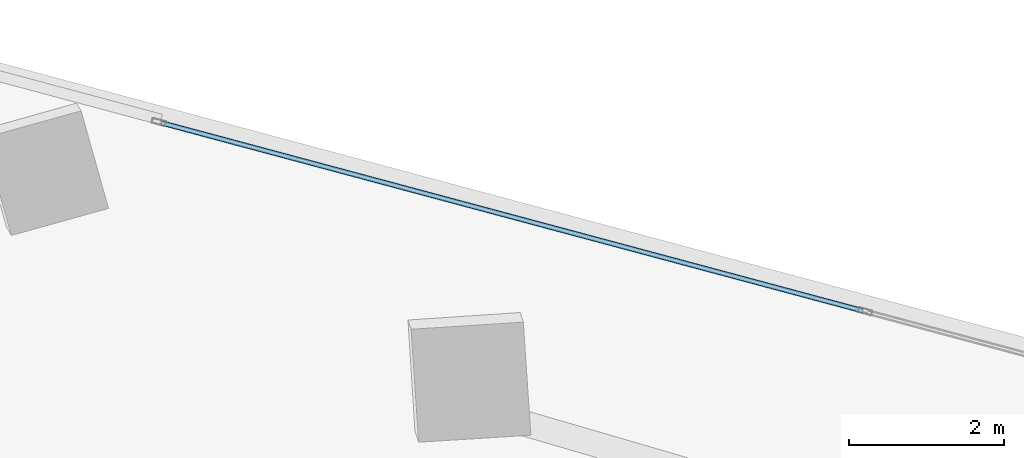
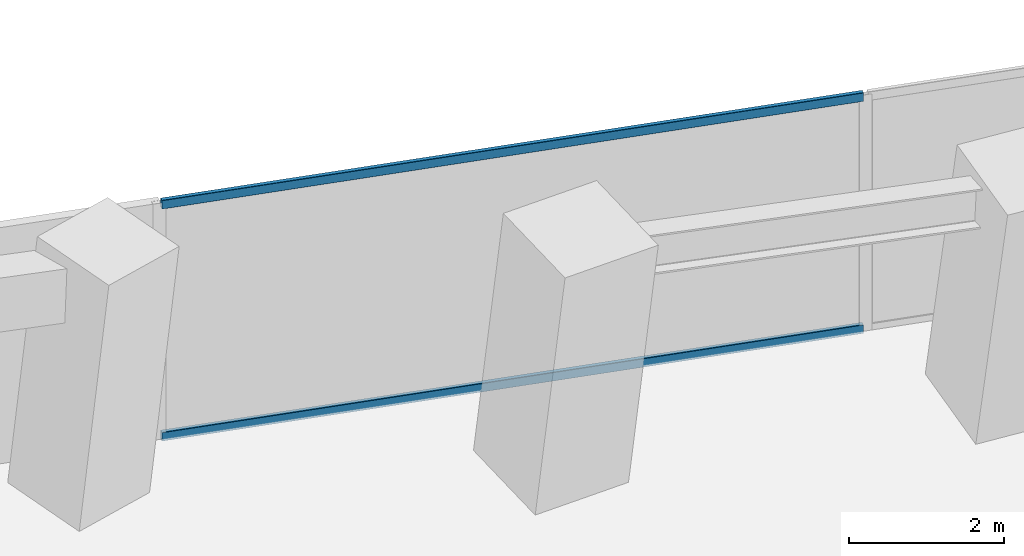
# One storey, part 17 of 26: 2 members, 1 element without a shape of its own.
"""IFC4 building model written with IfcOpenShell, lengths in metres."""

import ifcopenshell
import ifcopenshell.guid

model = None  # the IFC model being written
_history = None  # IfcOwnerHistory: only IFC2X3 demands one
_inside = {}  # id of a spatial element -> (the spatial element, [elements in it])
_under = {}  # id of a project, library or spatial element -> (it, [spatial elements below it])
_declared = {}  # id of a project -> (the project, [libraries it declares])
_typed = {}  # id of a type object -> (the type object, [elements of that type])
_made_of = {}  # id of a material, layer set ... -> (it, [elements and type objects made of it])


def new_model(schema):
    """Start an empty IFC model of exactly this schema.

    Asked for "IFC4X3", IfcOpenShell would pick the latest addendum, in which some entities
    have other attributes; the version numbers below select the first issue.
    IFC2X3 requires an IfcOwnerHistory on every rooted entity: one is made here for all.
    """
    global model, _history
    if schema == "IFC4X3":
        model = ifcopenshell.file(schema_version=(4, 3, 0, 0))
    else:
        model = ifcopenshell.file(schema=schema)
    _inside.clear()
    _under.clear()
    _declared.clear()
    _typed.clear()
    _made_of.clear()
    _history = None
    if model.schema == "IFC2X3":
        org = make("IfcOrganization", Name="unknown")
        user = make(
            "IfcPersonAndOrganization",
            ThePerson=make("IfcPerson", FamilyName="unknown"),
            TheOrganization=org,
        )
        app = make(
            "IfcApplication",
            ApplicationDeveloper=org,
            Version="unknown",
            ApplicationFullName="unknown",
            ApplicationIdentifier="unknown",
        )
        _history = make(
            "IfcOwnerHistory",
            OwningUser=user,
            OwningApplication=app,
            ChangeAction="ADDED",
            CreationDate=0,
        )
    return model


def make(cls, **values):
    """One entity of the class cls with the attributes given. An attribute that is None is left unset."""
    return model.create_entity(
        cls, **{name: value for name, value in values.items() if value is not None}
    )


def rooted(cls, **values):
    """An entity with a GlobalId (a new one), such as an element, a storey or a relation."""
    return make(cls, GlobalId=ifcopenshell.guid.new(), OwnerHistory=_history, **values)


def si_unit(unit_type, name, prefix=None):
    """IfcSIUnit, for example si_unit("LENGTHUNIT", "METRE", prefix="MILLI")."""
    return make("IfcSIUnit", UnitType=unit_type, Prefix=prefix, Name=name)


def assignment(units):
    """IfcUnitAssignment: the units of a project."""
    return None if units is None else make("IfcUnitAssignment", Units=units)


def point(xyz):
    """IfcCartesianPoint."""
    return None if xyz is None else make("IfcCartesianPoint", Coordinates=xyz)


def direction(xyz):
    """IfcDirection."""
    return None if xyz is None else make("IfcDirection", DirectionRatios=xyz)


def frame(location, z_axis=None, x_axis=None):
    """IfcAxis2Placement3D, a coordinate frame: its origin and axes. An axis left out is left unset."""
    return make(
        "IfcAxis2Placement3D",
        Location=point(location),
        Axis=direction(z_axis),
        RefDirection=direction(x_axis),
    )


def frame_2d(location, x_axis=None):
    """IfcAxis2Placement2D, a coordinate frame in the plane: its origin and x axis."""
    return make(
        "IfcAxis2Placement2D", Location=point(location), RefDirection=direction(x_axis)
    )


def origin():
    """The frame at (0, 0, 0) with its axes left unset."""
    return frame((0.0, 0.0, 0.0))


def origin_2d():
    """The frame at (0, 0) in the plane with its x axis left unset."""
    return frame_2d((0.0, 0.0))


def place(relative_to, where):
    """IfcLocalPlacement: puts the frame where relative to a parent placement (None: the world)."""
    return make(
        "IfcLocalPlacement", PlacementRelTo=relative_to, RelativePlacement=where
    )


def context(
    kind, dimensions, precision=None, world=None, true_north=None, identifier=None
):
    """IfcGeometricRepresentationContext, for example the 3D "Model" context."""
    return make(
        "IfcGeometricRepresentationContext",
        ContextIdentifier=identifier,
        ContextType=kind,
        CoordinateSpaceDimension=dimensions,
        Precision=precision,
        WorldCoordinateSystem=world,
        TrueNorth=true_north,
    )


def subcontext(parent, identifier, kind, view, scale=None):
    """IfcGeometricRepresentationSubContext, for example "Body" below "Model"."""
    return make(
        "IfcGeometricRepresentationSubContext",
        ContextIdentifier=identifier,
        ContextType=kind,
        ParentContext=parent,
        TargetScale=scale,
        TargetView=view,
    )


def project(units=None, contexts=None):
    """IfcProject with its units and contexts."""
    return rooted(
        "IfcProject",
        Name="project",
        RepresentationContexts=contexts,
        UnitsInContext=assignment(units),
    )


def spatial(cls, under=None, at=None, **own):
    """A site, building, storey or space (cls), placed at a placement, below another one or the project."""
    s = rooted(cls, ObjectPlacement=at, **own)
    if under is not None:
        _under.setdefault(under.id(), (under, []))[1].append(s)
    return s


def profile(cls, at=None, kind="AREA", **sizes):
    """A parametric profile (cls). Its sizes go by their IFC names, for example OverallWidth=200.0."""
    return make(cls, ProfileType=kind, Position=at, **sizes)


def hollow_rectangle(**sizes):
    """IfcRectangleHollowProfileDef."""
    return profile("IfcRectangleHollowProfileDef", **sizes)


def extrude(swept, where, along, depth):
    """IfcExtrudedAreaSolid: the profile swept, set in the frame where, extruded along a direction by depth."""
    return make(
        "IfcExtrudedAreaSolid",
        SweptArea=swept,
        Position=where,
        ExtrudedDirection=direction(along),
        Depth=depth,
    )


def shape(context_of_items, identifier, shape_type, items):
    """IfcShapeRepresentation: the items that make up one representation, for example the "Body"."""
    return make(
        "IfcShapeRepresentation",
        ContextOfItems=context_of_items,
        RepresentationIdentifier=identifier,
        RepresentationType=shape_type,
        Items=items,
    )


def source(mapping_origin, context_of_items, identifier, shape_type, items):
    """IfcRepresentationMap: a shape defined once, which mapped items show again and again."""
    return make(
        "IfcRepresentationMap",
        MappingOrigin=mapping_origin,
        MappedRepresentation=shape(context_of_items, identifier, shape_type, items),
    )


def transform(
    local_origin,
    x_axis=None,
    y_axis=None,
    z_axis=None,
    scale=None,
    scale2=None,
    scale3=None,
    uniform=True,
):
    """IfcCartesianTransformationOperator3D, or its non-uniform kind. x_axis, y_axis, z_axis: its Axis1, 2, 3."""
    if uniform:
        return make(
            "IfcCartesianTransformationOperator3D",
            Axis1=direction(x_axis),
            Axis2=direction(y_axis),
            LocalOrigin=point(local_origin),
            Scale=scale,
            Axis3=direction(z_axis),
        )
    return make(
        "IfcCartesianTransformationOperator3DnonUniform",
        Axis1=direction(x_axis),
        Axis2=direction(y_axis),
        LocalOrigin=point(local_origin),
        Scale=scale,
        Axis3=direction(z_axis),
        Scale2=scale2,
        Scale3=scale3,
    )


def mapped(mapping_source, mapping_target):
    """IfcMappedItem: shows the shape of a source again, moved by a transform."""
    return make(
        "IfcMappedItem", MappingSource=mapping_source, MappingTarget=mapping_target
    )


def material(Name=None, Category=None):
    """IfcMaterial."""
    return make("IfcMaterial", Name=Name, Category=Category)


def material_profile(
    of_material, cross_section, Name=None, Category=None, Priority=None
):
    """IfcMaterialProfile: a cross section and its material."""
    return make(
        "IfcMaterialProfile",
        Name=Name,
        Material=of_material,
        Profile=cross_section,
        Priority=Priority,
        Category=Category,
    )


def profile_set(profiles, Name=None, composite=None):
    """IfcMaterialProfileSet."""
    return make(
        "IfcMaterialProfileSet",
        Name=Name,
        MaterialProfiles=profiles,
        CompositeProfile=composite,
    )


def made_of(thing, what):
    """Note that an element or type object is made of a material, layer set ...; save() writes the relation."""
    if what is not None:
        _made_of.setdefault(what.id(), (what, []))[1].append(thing)
    return thing


def type_object(cls, material=None, **own):
    """A type object (cls), such as IfcWallType, which elements share."""
    return made_of(rooted(cls, **own), material)


def element(
    cls,
    number,
    at=None,
    inside=None,
    cuts=None,
    type_object=None,
    material=None,
    context=None,
    identifier="Body",
    shape_type=None,
    held_by="IfcProductDefinitionShape",
    body=None,
    shapes=None,
    **own,
):
    """One element of the class cls, such as IfcWall. Its Tag is "e" and its number.

    at: its placement. inside: the storey or other place that contains it. cuts: it is an
    opening in that element (IfcRelVoidsElement). A single representation is given by context,
    identifier, shape_type and body (its items); several are given by shapes. held_by: the class
    of the entity that holds the representations. save() writes the other relations.
    """
    e = rooted(cls, Tag="e%d" % number, ObjectPlacement=at, **own)
    if body is not None:
        shapes = [shape(context, identifier, shape_type, body)]
    if shapes is not None:
        e.Representation = make(held_by, Representations=shapes)
    if inside is not None:
        _inside.setdefault(inside.id(), (inside, []))[1].append(e)
    if cuts is not None:
        rooted(
            "IfcRelVoidsElement", RelatingBuildingElement=cuts, RelatedOpeningElement=e
        )
    if type_object is not None:
        _typed.setdefault(type_object.id(), (type_object, []))[1].append(e)
    return made_of(e, material)


def aggregate(whole, parts):
    """IfcRelAggregates: a whole, such as a stair, and the parts it consists of."""
    return rooted("IfcRelAggregates", RelatingObject=whole, RelatedObjects=parts)


def save(model, path):
    """Write the relations noted so far, then the file.

    IfcRelAggregates (storeys below a building ...), IfcRelContainedInSpatialStructure (elements
    in a storey), IfcRelDefinesByType, IfcRelAssociatesMaterial and IfcRelDeclares: one each for
    every whole, place, type object, material and project.
    """
    for whole, parts in _under.values():
        aggregate(whole, parts)
    for where, things in _inside.values():
        rooted(
            "IfcRelContainedInSpatialStructure",
            RelatedElements=things,
            RelatingStructure=where,
        )
    for kind, things in _typed.values():
        rooted("IfcRelDefinesByType", RelatedObjects=things, RelatingType=kind)
    for what, things in _made_of.values():
        rooted("IfcRelAssociatesMaterial", RelatedObjects=things, RelatingMaterial=what)
    for by, libraries in _declared.values():
        rooted("IfcRelDeclares", RelatingContext=by, RelatedDefinitions=libraries)
    model.write(path)


model = new_model("IFC4")

# Units and contexts
model_context = context("Model", 3, precision=1e-05, world=origin(), true_north=direction((0.0, 1.0)))
body_context = subcontext(model_context, "Body", "Model", "MODEL_VIEW")
ifc_project = project(units=[si_unit("LENGTHUNIT", "METRE"), si_unit("AREAUNIT", "SQUARE_METRE"), si_unit("VOLUMEUNIT", "CUBIC_METRE"), si_unit("PLANEANGLEUNIT", "RADIAN"), si_unit("MASSUNIT", "GRAM", prefix="KILO")], contexts=[model_context])

# Site, building, storey
site_placement = place(None, origin())
site = spatial("IfcSite", under=ifc_project, at=site_placement, CompositionType="ELEMENT")
building_placement = place(site_placement, origin())
building = spatial("IfcBuilding", under=site, at=building_placement, Name="Torre Montelarca", CompositionType="ELEMENT")
storey_placement = place(building_placement, frame((0.0, 0.0, 104.199951171875)))
storey = spatial("IfcBuildingStorey", under=building, at=storey_placement, Name="L23", CompositionType="ELEMENT", Elevation=104.199951171875)

# Curtain wall, members
ifc_material_1 = material(Name="Insulated low-E laminated glass", Category="glass")
curtain_wall_type = type_object("IfcCurtainWallType", Name="CW-SYS-Z1", PredefinedType="USERDEFINED", material=ifc_material_1)
curtain_wall_placement = place(storey_placement, origin())
curtain_wall = element("IfcCurtainWall", 1, at=curtain_wall_placement, inside=storey, type_object=curtain_wall_type, Name="L23 Curtain Wall Run CW-T3-L23-E08-B1", ObjectType="UNITISED GLAZING", PredefinedType="USERDEFINED")
ifc_material_2 = material(Name="Anodised aluminium AA 6063-T6", Category="aluminium")
ifc_material_profile = material_profile(ifc_material_2, hollow_rectangle(XDim=0.06494140625, YDim=0.139892578125, WallThickness=0.00390625, InnerFilletRadius=0.00390625, OuterFilletRadius=0.008056640625, at=origin_2d()), Name="ALU65X140X4", Category="aluminium")
ifc_profile_set = profile_set([ifc_material_profile], Name="Anodised aluminium AA 6063-T6")
member_type = type_object("IfcMemberType", Name="CWT-ALU140", PredefinedType="USERDEFINED", material=ifc_profile_set)
shared_shape = source(origin(), body_context, "Body", "SweptSolid", [
    extrude(hollow_rectangle(XDim=0.06494140625, YDim=0.139892578125, WallThickness=0.00390625, InnerFilletRadius=0.00390625, OuterFilletRadius=0.008056640625, at=origin_2d()), origin(), (0.0, 0.0, 1.0), 9.372802734375),
])
member_1_placement = place(storey_placement, frame((50.03076171875, 40.9921875, 0.032470703125), z_axis=(-0.965928169913, 0.258810298419, 0.0), x_axis=(-0.258810298419, -0.965928169913, 0.0)))
member_1 = element("IfcMember", 2, at=member_1_placement, type_object=member_type, Name="CW transom 2.1", ObjectType="TRANSOM", PredefinedType="USERDEFINED", context=body_context, shape_type="MappedRepresentation", body=[
    mapped(shared_shape, transform((0.0, 0.0, 0.0), scale=1.0)),
])
member_2_placement = place(storey_placement, frame((50.03076171875, 40.9921875, 3.6875), z_axis=(-0.965928169913, 0.258810298419, 0.0), x_axis=(-0.258810298419, -0.965928169913, 0.0)))
member_2 = element("IfcMember", 3, at=member_2_placement, type_object=member_type, Name="CW transom 2.2", ObjectType="TRANSOM", PredefinedType="USERDEFINED", context=body_context, shape_type="MappedRepresentation", body=[
    mapped(shared_shape, transform((0.0, 0.0, 0.0), scale=1.0)),
])
aggregate(curtain_wall, [member_1, member_2])

save(model, "model.ifc")
